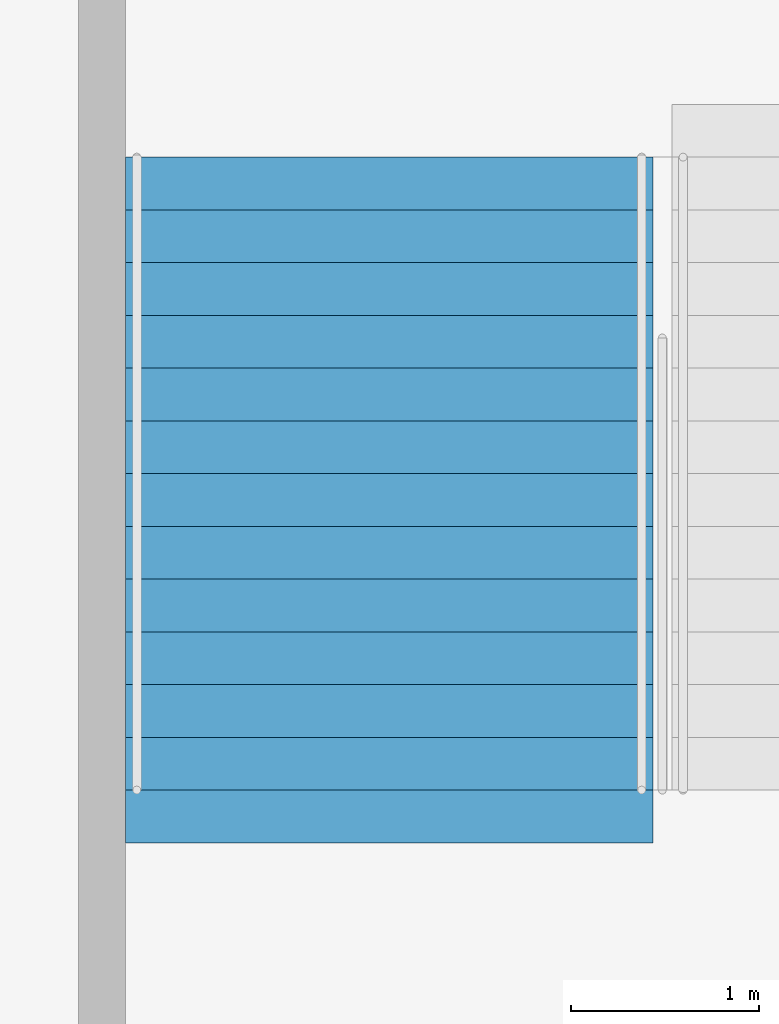
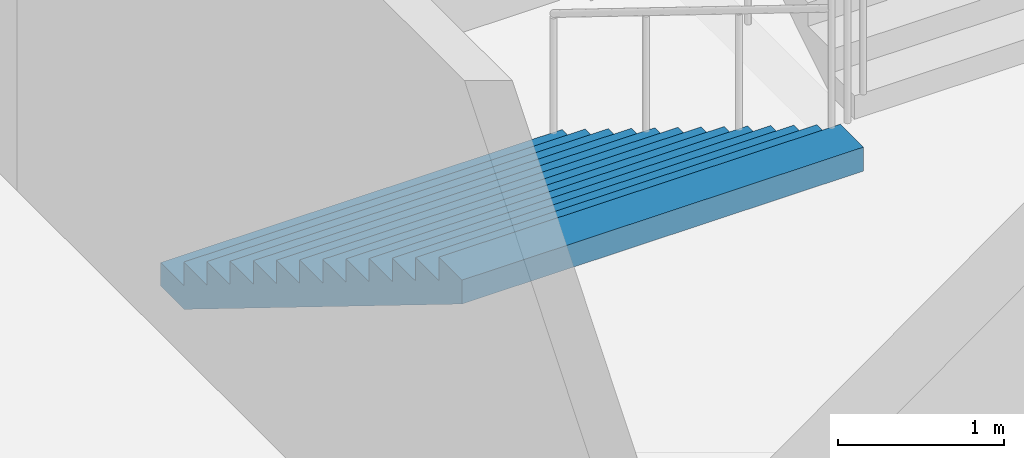
# One storey, part 63 of 175: 1 stair flight, 1 element without a shape of its own.
"""IFC4 building model written with IfcOpenShell, lengths in metres."""

from ifc_helpers import new_model, si_unit, direction, frame, origin, place, context, subcontext, project, spatial, faceted_brep, material, type_object, element, aggregate, save


model = new_model("IFC4")

# Units and contexts
model_context = context("Model", 3, precision=1e-05, world=origin(), true_north=direction((0.0, 1.0)))
body_context = subcontext(model_context, "Body", "Model", "MODEL_VIEW")
ifc_project = project(units=[si_unit("LENGTHUNIT", "METRE"), si_unit("AREAUNIT", "SQUARE_METRE"), si_unit("VOLUMEUNIT", "CUBIC_METRE"), si_unit("PLANEANGLEUNIT", "RADIAN"), si_unit("MASSUNIT", "GRAM", prefix="KILO")], contexts=[model_context])

# Site, building, storey
site_placement = place(None, origin())
site = spatial("IfcSite", under=ifc_project, at=site_placement, CompositionType="ELEMENT")
building_placement = place(site_placement, origin())
building = spatial("IfcBuilding", under=site, at=building_placement, Name="Ogive Plaza Stadium", CompositionType="ELEMENT")
storey_placement = place(building_placement, origin())
storey = spatial("IfcBuildingStorey", under=building, at=storey_placement, Name="L00", CompositionType="ELEMENT", Elevation=0.0)

# Stair, stair flight
ifc_material_1 = material(Name="Concrete C40/50", Category="concrete")
stair_type = type_object("IfcStairType", Name="Exit stair", PredefinedType="STRAIGHT_RUN_STAIR", material=ifc_material_1)
stair_placement = place(storey_placement, origin())
stair = element("IfcStair", 1, at=stair_placement, inside=storey, type_object=stair_type, Name="Exit stair ST14A L00 to L01", PredefinedType="STRAIGHT_RUN_STAIR")
ifc_material_2 = material(Name="Concrete C40/50", Category="concrete")
stair_flight_type = type_object("IfcStairFlightType", Name="Exit stair flight", PredefinedType="STRAIGHT", material=ifc_material_2)
stair_flight_placement = place(storey_placement, frame((2.375, -94.85009765625, 0.0), z_axis=(0.0, 0.0, 1.0), x_axis=(0.0, -1.0, 0.0)))
stair_flight = element("IfcStairFlight", 2, at=stair_flight_placement, type_object=stair_flight_type, Name="ST14A flight 1", NumberOfRisers=13, NumberOfTreads=12, PredefinedType="STRAIGHT", RiserHeight=0.173076923, TreadLength=0.28, context=body_context, shape_type="Brep", body=[
    faceted_brep([(0.28515625, -1.39990234375, 0.0), (3.639892578125, -1.39990234375, 2.07373046875), (3.639892578125, -1.39990234375, 2.25), (3.360107421875, -1.39990234375, 2.25), (3.360107421875, -1.39990234375, 2.076904296875), (3.080078125, -1.39990234375, 2.076904296875), (3.080078125, -1.39990234375, 1.90380859375), (2.800048828125, -1.39990234375, 1.90380859375), (2.800048828125, -1.39990234375, 1.730712890625), (2.52001953125, -1.39990234375, 1.730712890625), (2.52001953125, -1.39990234375, 1.5576171875), (2.239990234375, -1.39990234375, 1.5576171875), (2.239990234375, -1.39990234375, 1.384521484375), (1.9599609375, -1.39990234375, 1.384521484375), (1.9599609375, -1.39990234375, 1.21142578125), (1.679931640625, -1.39990234375, 1.21142578125), (1.679931640625, -1.39990234375, 1.03857421875), (1.39990234375, -1.39990234375, 1.03857421875), (1.39990234375, -1.39990234375, 0.865478515625), (1.1201171875, -1.39990234375, 0.865478515625), (1.1201171875, -1.39990234375, 0.6923828125), (0.840087890625, -1.39990234375, 0.6923828125), (0.840087890625, -1.39990234375, 0.519287109375), (0.56005859375, -1.39990234375, 0.519287109375), (0.56005859375, -1.39990234375, 0.34619140625), (0.280029296875, -1.39990234375, 0.34619140625), (0.280029296875, -1.39990234375, 0.173095703125), (0.0, -1.39990234375, 0.173095703125), (0.0, -1.39990234375, 0.0), (0.0, 1.39990234375, 0.0), (0.0, 1.39990234375, 0.173095703125), (0.280029296875, 1.39990234375, 0.173095703125), (0.280029296875, 1.39990234375, 0.34619140625), (0.56005859375, 1.39990234375, 0.34619140625), (0.56005859375, 1.39990234375, 0.519287109375), (0.840087890625, 1.39990234375, 0.519287109375), (0.840087890625, 1.39990234375, 0.6923828125), (1.1201171875, 1.39990234375, 0.6923828125), (1.1201171875, 1.39990234375, 0.865478515625), (1.39990234375, 1.39990234375, 0.865478515625), (1.39990234375, 1.39990234375, 1.03857421875), (1.679931640625, 1.39990234375, 1.03857421875), (1.679931640625, 1.39990234375, 1.21142578125), (1.9599609375, 1.39990234375, 1.21142578125), (1.9599609375, 1.39990234375, 1.384521484375), (2.239990234375, 1.39990234375, 1.384521484375), (2.239990234375, 1.39990234375, 1.5576171875), (2.52001953125, 1.39990234375, 1.5576171875), (2.52001953125, 1.39990234375, 1.730712890625), (2.800048828125, 1.39990234375, 1.730712890625), (2.800048828125, 1.39990234375, 1.90380859375), (3.080078125, 1.39990234375, 1.90380859375), (3.080078125, 1.39990234375, 2.076904296875), (3.360107421875, 1.39990234375, 2.076904296875), (3.360107421875, 1.39990234375, 2.25), (3.639892578125, 1.39990234375, 2.25), (3.639892578125, 1.39990234375, 2.07373046875), (0.28515625, 1.39990234375, 0.0), (0.28515625, -1.0888671875, 0.0), (3.639892578125, -1.0888671875, 2.07373046875), (0.28515625, -0.77783203125, 0.0), (3.639892578125, -0.77783203125, 2.07373046875), (0.28515625, -0.466796875, 0.0), (3.639892578125, -0.466796875, 2.07373046875), (0.28515625, -0.155517578125, 0.0), (3.639892578125, -0.155517578125, 2.07373046875), (0.28515625, 0.155517578125, 0.0), (3.639892578125, 0.155517578125, 2.07373046875), (0.28515625, 0.466796875, 0.0), (3.639892578125, 0.466796875, 2.07373046875), (0.28515625, 0.77783203125, 0.0), (3.639892578125, 0.77783203125, 2.07373046875), (0.28515625, 1.0888671875, 0.0), (3.639892578125, 1.0888671875, 2.07373046875), (3.639892578125, -1.0888671875, 2.25), (3.639892578125, -0.77783203125, 2.25), (3.639892578125, -0.466796875, 2.25), (3.639892578125, -0.155517578125, 2.25), (3.639892578125, 0.155517578125, 2.25), (3.639892578125, 0.466796875, 2.25), (3.639892578125, 0.77783203125, 2.25), (3.639892578125, 1.0888671875, 2.25), (3.360107421875, -1.0888671875, 2.25), (3.360107421875, -0.77783203125, 2.25), (3.360107421875, -0.466796875, 2.25), (3.360107421875, -0.155517578125, 2.25), (3.360107421875, 0.155517578125, 2.25), (3.360107421875, 0.466796875, 2.25), (3.360107421875, 0.77783203125, 2.25), (3.360107421875, 1.0888671875, 2.25), (3.360107421875, -1.0888671875, 2.076904296875), (3.360107421875, -0.77783203125, 2.076904296875), (3.360107421875, -0.466796875, 2.076904296875), (3.360107421875, -0.155517578125, 2.076904296875), (3.360107421875, 0.155517578125, 2.076904296875), (3.360107421875, 0.466796875, 2.076904296875), (3.360107421875, 0.77783203125, 2.076904296875), (3.360107421875, 1.0888671875, 2.076904296875), (3.080078125, -1.0888671875, 2.076904296875), (3.080078125, -0.77783203125, 2.076904296875), (3.080078125, -0.466796875, 2.076904296875), (3.080078125, -0.155517578125, 2.076904296875), (3.080078125, 0.155517578125, 2.076904296875), (3.080078125, 0.466796875, 2.076904296875), (3.080078125, 0.77783203125, 2.076904296875), (3.080078125, 1.0888671875, 2.076904296875), (3.080078125, -1.0888671875, 1.90380859375), (3.080078125, -0.77783203125, 1.90380859375), (3.080078125, -0.466796875, 1.90380859375), (3.080078125, -0.155517578125, 1.90380859375), (3.080078125, 0.155517578125, 1.90380859375), (3.080078125, 0.466796875, 1.90380859375), (3.080078125, 0.77783203125, 1.90380859375), (3.080078125, 1.0888671875, 1.90380859375), (2.800048828125, -1.0888671875, 1.90380859375), (2.800048828125, -0.77783203125, 1.90380859375), (2.800048828125, -0.466796875, 1.90380859375), (2.800048828125, -0.155517578125, 1.90380859375), (2.800048828125, 0.155517578125, 1.90380859375), (2.800048828125, 0.466796875, 1.90380859375), (2.800048828125, 0.77783203125, 1.90380859375), (2.800048828125, 1.0888671875, 1.90380859375), (2.800048828125, -1.0888671875, 1.730712890625), (2.800048828125, -0.77783203125, 1.730712890625), (2.800048828125, -0.466796875, 1.730712890625), (2.800048828125, -0.155517578125, 1.730712890625), (2.800048828125, 0.155517578125, 1.730712890625), (2.800048828125, 0.466796875, 1.730712890625), (2.800048828125, 0.77783203125, 1.730712890625), (2.800048828125, 1.0888671875, 1.730712890625), (2.52001953125, -1.0888671875, 1.730712890625), (2.52001953125, -0.77783203125, 1.730712890625), (2.52001953125, -0.466796875, 1.730712890625), (2.52001953125, -0.155517578125, 1.730712890625), (2.52001953125, 0.155517578125, 1.730712890625), (2.52001953125, 0.466796875, 1.730712890625), (2.52001953125, 0.77783203125, 1.730712890625), (2.52001953125, 1.0888671875, 1.730712890625), (2.52001953125, -1.0888671875, 1.5576171875), (2.52001953125, -0.77783203125, 1.5576171875), (2.52001953125, -0.466796875, 1.5576171875), (2.52001953125, -0.155517578125, 1.5576171875), (2.52001953125, 0.155517578125, 1.5576171875), (2.52001953125, 0.466796875, 1.5576171875), (2.52001953125, 0.77783203125, 1.5576171875), (2.52001953125, 1.0888671875, 1.5576171875), (2.239990234375, -1.0888671875, 1.5576171875), (2.239990234375, -0.77783203125, 1.5576171875), (2.239990234375, -0.466796875, 1.5576171875), (2.239990234375, -0.155517578125, 1.5576171875), (2.239990234375, 0.155517578125, 1.5576171875), (2.239990234375, 0.466796875, 1.5576171875), (2.239990234375, 0.77783203125, 1.5576171875), (2.239990234375, 1.0888671875, 1.5576171875), (2.239990234375, -1.0888671875, 1.384521484375), (2.239990234375, -0.77783203125, 1.384521484375), (2.239990234375, -0.466796875, 1.384521484375), (2.239990234375, -0.155517578125, 1.384521484375), (2.239990234375, 0.155517578125, 1.384521484375), (2.239990234375, 0.466796875, 1.384521484375), (2.239990234375, 0.77783203125, 1.384521484375), (2.239990234375, 1.0888671875, 1.384521484375), (1.9599609375, -1.0888671875, 1.384521484375), (1.9599609375, -0.77783203125, 1.384521484375), (1.9599609375, -0.466796875, 1.384521484375), (1.9599609375, -0.155517578125, 1.384521484375), (1.9599609375, 0.155517578125, 1.384521484375), (1.9599609375, 0.466796875, 1.384521484375), (1.9599609375, 0.77783203125, 1.384521484375), (1.9599609375, 1.0888671875, 1.384521484375), (1.9599609375, -1.0888671875, 1.21142578125), (1.9599609375, -0.77783203125, 1.21142578125), (1.9599609375, -0.466796875, 1.21142578125), (1.9599609375, -0.155517578125, 1.21142578125), (1.9599609375, 0.155517578125, 1.21142578125), (1.9599609375, 0.466796875, 1.21142578125), (1.9599609375, 0.77783203125, 1.21142578125), (1.9599609375, 1.0888671875, 1.21142578125), (1.679931640625, -1.0888671875, 1.21142578125), (1.679931640625, -0.77783203125, 1.21142578125), (1.679931640625, -0.466796875, 1.21142578125), (1.679931640625, -0.155517578125, 1.21142578125), (1.679931640625, 0.155517578125, 1.21142578125), (1.679931640625, 0.466796875, 1.21142578125), (1.679931640625, 0.77783203125, 1.21142578125), (1.679931640625, 1.0888671875, 1.21142578125), (1.679931640625, -1.0888671875, 1.03857421875), (1.679931640625, -0.77783203125, 1.03857421875), (1.679931640625, -0.466796875, 1.03857421875), (1.679931640625, -0.155517578125, 1.03857421875), (1.679931640625, 0.155517578125, 1.03857421875), (1.679931640625, 0.466796875, 1.03857421875), (1.679931640625, 0.77783203125, 1.03857421875), (1.679931640625, 1.0888671875, 1.03857421875), (1.39990234375, -1.0888671875, 1.03857421875), (1.39990234375, -0.77783203125, 1.03857421875), (1.39990234375, -0.466796875, 1.03857421875), (1.39990234375, -0.155517578125, 1.03857421875), (1.39990234375, 0.155517578125, 1.03857421875), (1.39990234375, 0.466796875, 1.03857421875), (1.39990234375, 0.77783203125, 1.03857421875), (1.39990234375, 1.0888671875, 1.03857421875), (1.39990234375, -1.0888671875, 0.865478515625), (1.39990234375, -0.77783203125, 0.865478515625), (1.39990234375, -0.466796875, 0.865478515625), (1.39990234375, -0.155517578125, 0.865478515625), (1.39990234375, 0.155517578125, 0.865478515625), (1.39990234375, 0.466796875, 0.865478515625), (1.39990234375, 0.77783203125, 0.865478515625), (1.39990234375, 1.0888671875, 0.865478515625), (1.1201171875, -1.0888671875, 0.865478515625), (1.1201171875, -0.77783203125, 0.865478515625), (1.1201171875, -0.466796875, 0.865478515625), (1.1201171875, -0.155517578125, 0.865478515625), (1.1201171875, 0.155517578125, 0.865478515625), (1.1201171875, 0.466796875, 0.865478515625), (1.1201171875, 0.77783203125, 0.865478515625), (1.1201171875, 1.0888671875, 0.865478515625), (1.1201171875, -1.0888671875, 0.6923828125), (1.1201171875, -0.77783203125, 0.6923828125), (1.1201171875, -0.466796875, 0.6923828125), (1.1201171875, -0.155517578125, 0.6923828125), (1.1201171875, 0.155517578125, 0.6923828125), (1.1201171875, 0.466796875, 0.6923828125), (1.1201171875, 0.77783203125, 0.6923828125), (1.1201171875, 1.0888671875, 0.6923828125), (0.840087890625, -1.0888671875, 0.6923828125), (0.840087890625, -0.77783203125, 0.6923828125), (0.840087890625, -0.466796875, 0.6923828125), (0.840087890625, -0.155517578125, 0.6923828125), (0.840087890625, 0.155517578125, 0.6923828125), (0.840087890625, 0.466796875, 0.6923828125), (0.840087890625, 0.77783203125, 0.6923828125), (0.840087890625, 1.0888671875, 0.6923828125), (0.840087890625, -1.0888671875, 0.519287109375), (0.840087890625, -0.77783203125, 0.519287109375), (0.840087890625, -0.466796875, 0.519287109375), (0.840087890625, -0.155517578125, 0.519287109375), (0.840087890625, 0.155517578125, 0.519287109375), (0.840087890625, 0.466796875, 0.519287109375), (0.840087890625, 0.77783203125, 0.519287109375), (0.840087890625, 1.0888671875, 0.519287109375), (0.56005859375, -1.0888671875, 0.519287109375), (0.56005859375, -0.77783203125, 0.519287109375), (0.56005859375, -0.466796875, 0.519287109375), (0.56005859375, -0.155517578125, 0.519287109375), (0.56005859375, 0.155517578125, 0.519287109375), (0.56005859375, 0.466796875, 0.519287109375), (0.56005859375, 0.77783203125, 0.519287109375), (0.56005859375, 1.0888671875, 0.519287109375), (0.56005859375, -1.0888671875, 0.34619140625), (0.56005859375, -0.77783203125, 0.34619140625), (0.56005859375, -0.466796875, 0.34619140625), (0.56005859375, -0.155517578125, 0.34619140625), (0.56005859375, 0.155517578125, 0.34619140625), (0.56005859375, 0.466796875, 0.34619140625), (0.56005859375, 0.77783203125, 0.34619140625), (0.56005859375, 1.0888671875, 0.34619140625), (0.280029296875, -1.0888671875, 0.34619140625), (0.280029296875, -0.77783203125, 0.34619140625), (0.280029296875, -0.466796875, 0.34619140625), (0.280029296875, -0.155517578125, 0.34619140625), (0.280029296875, 0.155517578125, 0.34619140625), (0.280029296875, 0.466796875, 0.34619140625), (0.280029296875, 0.77783203125, 0.34619140625), (0.280029296875, 1.0888671875, 0.34619140625), (0.280029296875, -1.0888671875, 0.173095703125), (0.280029296875, -0.77783203125, 0.173095703125), (0.280029296875, -0.466796875, 0.173095703125), (0.280029296875, -0.155517578125, 0.173095703125), (0.280029296875, 0.155517578125, 0.173095703125), (0.280029296875, 0.466796875, 0.173095703125), (0.280029296875, 0.77783203125, 0.173095703125), (0.280029296875, 1.0888671875, 0.173095703125), (0.0, -1.0888671875, 0.173095703125), (0.0, -0.77783203125, 0.173095703125), (0.0, -0.466796875, 0.173095703125), (0.0, -0.155517578125, 0.173095703125), (0.0, 0.155517578125, 0.173095703125), (0.0, 0.466796875, 0.173095703125), (0.0, 0.77783203125, 0.173095703125), (0.0, 1.0888671875, 0.173095703125), (0.0, -1.0888671875, 0.0), (0.0, -0.77783203125, 0.0), (0.0, -0.466796875, 0.0), (0.0, -0.155517578125, 0.0), (0.0, 0.155517578125, 0.0), (0.0, 0.466796875, 0.0), (0.0, 0.77783203125, 0.0), (0.0, 1.0888671875, 0.0)], [[[0, 1, 2, 3, 4, 5, 6, 7, 8, 9, 10, 11, 12, 13, 14, 15, 16, 17, 18, 19, 20, 21, 22, 23, 24, 25, 26, 27, 28]], [[29, 30, 31, 32, 33, 34, 35, 36, 37, 38, 39, 40, 41, 42, 43, 44, 45, 46, 47, 48, 49, 50, 51, 52, 53, 54, 55, 56, 57]], [[0, 58, 59, 1]], [[58, 60, 61, 59]], [[60, 62, 63, 61]], [[62, 64, 65, 63]], [[64, 66, 67, 65]], [[66, 68, 69, 67]], [[68, 70, 71, 69]], [[70, 72, 73, 71]], [[72, 57, 56, 73]], [[1, 59, 74, 2]], [[59, 61, 75, 74]], [[61, 63, 76, 75]], [[63, 65, 77, 76]], [[65, 67, 78, 77]], [[67, 69, 79, 78]], [[69, 71, 80, 79]], [[71, 73, 81, 80]], [[73, 56, 55, 81]], [[2, 74, 82, 3]], [[74, 75, 83, 82]], [[75, 76, 84, 83]], [[76, 77, 85, 84]], [[77, 78, 86, 85]], [[78, 79, 87, 86]], [[79, 80, 88, 87]], [[80, 81, 89, 88]], [[81, 55, 54, 89]], [[3, 82, 90, 4]], [[82, 83, 91, 90]], [[83, 84, 92, 91]], [[84, 85, 93, 92]], [[85, 86, 94, 93]], [[86, 87, 95, 94]], [[87, 88, 96, 95]], [[88, 89, 97, 96]], [[89, 54, 53, 97]], [[4, 90, 98, 5]], [[90, 91, 99, 98]], [[91, 92, 100, 99]], [[92, 93, 101, 100]], [[93, 94, 102, 101]], [[94, 95, 103, 102]], [[95, 96, 104, 103]], [[96, 97, 105, 104]], [[97, 53, 52, 105]], [[5, 98, 106, 6]], [[98, 99, 107, 106]], [[99, 100, 108, 107]], [[100, 101, 109, 108]], [[101, 102, 110, 109]], [[102, 103, 111, 110]], [[103, 104, 112, 111]], [[104, 105, 113, 112]], [[105, 52, 51, 113]], [[6, 106, 114, 7]], [[106, 107, 115, 114]], [[107, 108, 116, 115]], [[108, 109, 117, 116]], [[109, 110, 118, 117]], [[110, 111, 119, 118]], [[111, 112, 120, 119]], [[112, 113, 121, 120]], [[113, 51, 50, 121]], [[7, 114, 122, 8]], [[114, 115, 123, 122]], [[115, 116, 124, 123]], [[116, 117, 125, 124]], [[117, 118, 126, 125]], [[118, 119, 127, 126]], [[119, 120, 128, 127]], [[120, 121, 129, 128]], [[121, 50, 49, 129]], [[8, 122, 130, 9]], [[122, 123, 131, 130]], [[123, 124, 132, 131]], [[124, 125, 133, 132]], [[125, 126, 134, 133]], [[126, 127, 135, 134]], [[127, 128, 136, 135]], [[128, 129, 137, 136]], [[129, 49, 48, 137]], [[9, 130, 138, 10]], [[130, 131, 139, 138]], [[131, 132, 140, 139]], [[132, 133, 141, 140]], [[133, 134, 142, 141]], [[134, 135, 143, 142]], [[135, 136, 144, 143]], [[136, 137, 145, 144]], [[137, 48, 47, 145]], [[10, 138, 146, 11]], [[138, 139, 147, 146]], [[139, 140, 148, 147]], [[140, 141, 149, 148]], [[141, 142, 150, 149]], [[142, 143, 151, 150]], [[143, 144, 152, 151]], [[144, 145, 153, 152]], [[145, 47, 46, 153]], [[11, 146, 154, 12]], [[146, 147, 155, 154]], [[147, 148, 156, 155]], [[148, 149, 157, 156]], [[149, 150, 158, 157]], [[150, 151, 159, 158]], [[151, 152, 160, 159]], [[152, 153, 161, 160]], [[153, 46, 45, 161]], [[12, 154, 162, 13]], [[154, 155, 163, 162]], [[155, 156, 164, 163]], [[156, 157, 165, 164]], [[157, 158, 166, 165]], [[158, 159, 167, 166]], [[159, 160, 168, 167]], [[160, 161, 169, 168]], [[161, 45, 44, 169]], [[13, 162, 170, 14]], [[162, 163, 171, 170]], [[163, 164, 172, 171]], [[164, 165, 173, 172]], [[165, 166, 174, 173]], [[166, 167, 175, 174]], [[167, 168, 176, 175]], [[168, 169, 177, 176]], [[169, 44, 43, 177]], [[14, 170, 178, 15]], [[170, 171, 179, 178]], [[171, 172, 180, 179]], [[172, 173, 181, 180]], [[173, 174, 182, 181]], [[174, 175, 183, 182]], [[175, 176, 184, 183]], [[176, 177, 185, 184]], [[177, 43, 42, 185]], [[15, 178, 186, 16]], [[178, 179, 187, 186]], [[179, 180, 188, 187]], [[180, 181, 189, 188]], [[181, 182, 190, 189]], [[182, 183, 191, 190]], [[183, 184, 192, 191]], [[184, 185, 193, 192]], [[185, 42, 41, 193]], [[16, 186, 194, 17]], [[186, 187, 195, 194]], [[187, 188, 196, 195]], [[188, 189, 197, 196]], [[189, 190, 198, 197]], [[190, 191, 199, 198]], [[191, 192, 200, 199]], [[192, 193, 201, 200]], [[193, 41, 40, 201]], [[17, 194, 202, 18]], [[194, 195, 203, 202]], [[195, 196, 204, 203]], [[196, 197, 205, 204]], [[197, 198, 206, 205]], [[198, 199, 207, 206]], [[199, 200, 208, 207]], [[200, 201, 209, 208]], [[201, 40, 39, 209]], [[18, 202, 210, 19]], [[202, 203, 211, 210]], [[203, 204, 212, 211]], [[204, 205, 213, 212]], [[205, 206, 214, 213]], [[206, 207, 215, 214]], [[207, 208, 216, 215]], [[208, 209, 217, 216]], [[209, 39, 38, 217]], [[19, 210, 218, 20]], [[210, 211, 219, 218]], [[211, 212, 220, 219]], [[212, 213, 221, 220]], [[213, 214, 222, 221]], [[214, 215, 223, 222]], [[215, 216, 224, 223]], [[216, 217, 225, 224]], [[217, 38, 37, 225]], [[20, 218, 226, 21]], [[218, 219, 227, 226]], [[219, 220, 228, 227]], [[220, 221, 229, 228]], [[221, 222, 230, 229]], [[222, 223, 231, 230]], [[223, 224, 232, 231]], [[224, 225, 233, 232]], [[225, 37, 36, 233]], [[21, 226, 234, 22]], [[226, 227, 235, 234]], [[227, 228, 236, 235]], [[228, 229, 237, 236]], [[229, 230, 238, 237]], [[230, 231, 239, 238]], [[231, 232, 240, 239]], [[232, 233, 241, 240]], [[233, 36, 35, 241]], [[22, 234, 242, 23]], [[234, 235, 243, 242]], [[235, 236, 244, 243]], [[236, 237, 245, 244]], [[237, 238, 246, 245]], [[238, 239, 247, 246]], [[239, 240, 248, 247]], [[240, 241, 249, 248]], [[241, 35, 34, 249]], [[23, 242, 250, 24]], [[242, 243, 251, 250]], [[243, 244, 252, 251]], [[244, 245, 253, 252]], [[245, 246, 254, 253]], [[246, 247, 255, 254]], [[247, 248, 256, 255]], [[248, 249, 257, 256]], [[249, 34, 33, 257]], [[24, 250, 258, 25]], [[250, 251, 259, 258]], [[251, 252, 260, 259]], [[252, 253, 261, 260]], [[253, 254, 262, 261]], [[254, 255, 263, 262]], [[255, 256, 264, 263]], [[256, 257, 265, 264]], [[257, 33, 32, 265]], [[25, 258, 266, 26]], [[258, 259, 267, 266]], [[259, 260, 268, 267]], [[260, 261, 269, 268]], [[261, 262, 270, 269]], [[262, 263, 271, 270]], [[263, 264, 272, 271]], [[264, 265, 273, 272]], [[265, 32, 31, 273]], [[26, 266, 274, 27]], [[266, 267, 275, 274]], [[267, 268, 276, 275]], [[268, 269, 277, 276]], [[269, 270, 278, 277]], [[270, 271, 279, 278]], [[271, 272, 280, 279]], [[272, 273, 281, 280]], [[273, 31, 30, 281]], [[27, 274, 282, 28]], [[274, 275, 283, 282]], [[275, 276, 284, 283]], [[276, 277, 285, 284]], [[277, 278, 286, 285]], [[278, 279, 287, 286]], [[279, 280, 288, 287]], [[280, 281, 289, 288]], [[281, 30, 29, 289]], [[28, 282, 58, 0]], [[282, 283, 60, 58]], [[283, 284, 62, 60]], [[284, 285, 64, 62]], [[285, 286, 66, 64]], [[286, 287, 68, 66]], [[287, 288, 70, 68]], [[288, 289, 72, 70]], [[289, 29, 57, 72]]]),
])
aggregate(stair, [stair_flight])

save(model, "model.ifc")
